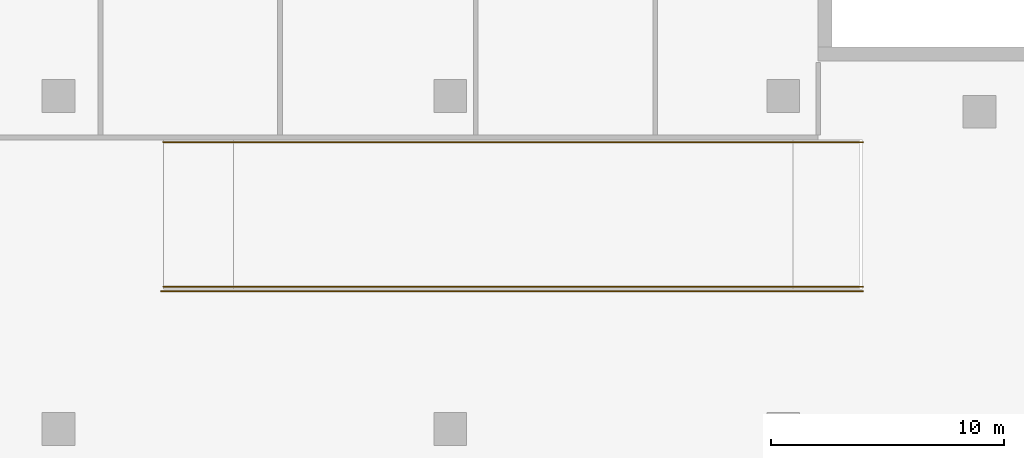
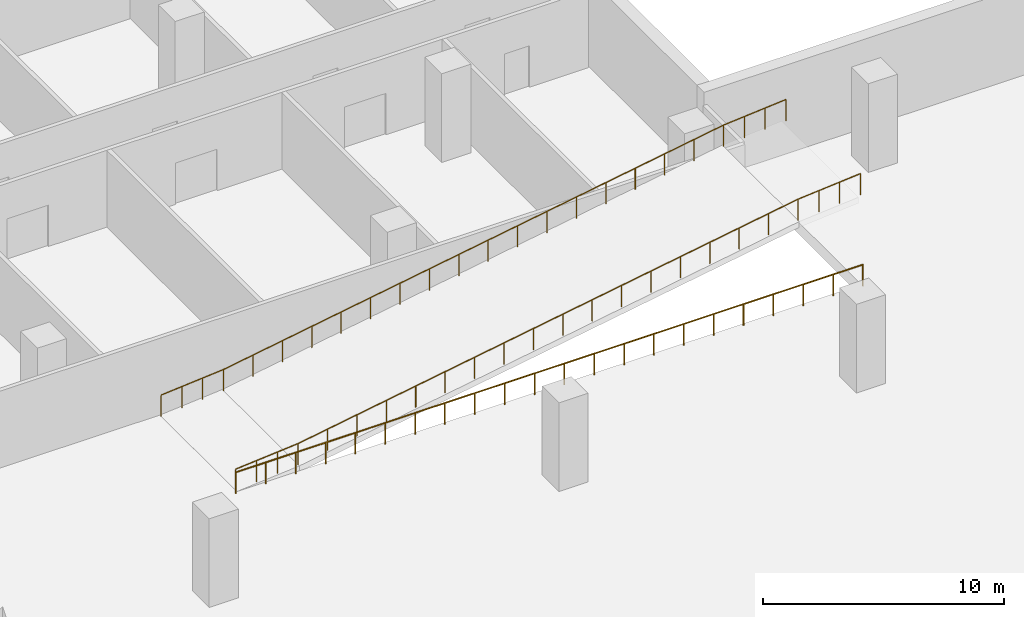
# One storey, part 12 of 12: 3 railings.
"""IFC4 building model written with IfcOpenShell, lengths in metres."""

import ifcopenshell
import ifcopenshell.guid

model = None  # the IFC model being written
_history = None  # IfcOwnerHistory: only IFC2X3 demands one
_inside = {}  # id of a spatial element -> (the spatial element, [elements in it])
_under = {}  # id of a project, library or spatial element -> (it, [spatial elements below it])
_declared = {}  # id of a project -> (the project, [libraries it declares])
_typed = {}  # id of a type object -> (the type object, [elements of that type])
_made_of = {}  # id of a material, layer set ... -> (it, [elements and type objects made of it])


def new_model(schema):
    """Start an empty IFC model of exactly this schema.

    Asked for "IFC4X3", IfcOpenShell would pick the latest addendum, in which some entities
    have other attributes; the version numbers below select the first issue.
    IFC2X3 requires an IfcOwnerHistory on every rooted entity: one is made here for all.
    """
    global model, _history
    if schema == "IFC4X3":
        model = ifcopenshell.file(schema_version=(4, 3, 0, 0))
    else:
        model = ifcopenshell.file(schema=schema)
    _inside.clear()
    _under.clear()
    _declared.clear()
    _typed.clear()
    _made_of.clear()
    _history = None
    if model.schema == "IFC2X3":
        org = make("IfcOrganization", Name="unknown")
        user = make(
            "IfcPersonAndOrganization",
            ThePerson=make("IfcPerson", FamilyName="unknown"),
            TheOrganization=org,
        )
        app = make(
            "IfcApplication",
            ApplicationDeveloper=org,
            Version="unknown",
            ApplicationFullName="unknown",
            ApplicationIdentifier="unknown",
        )
        _history = make(
            "IfcOwnerHistory",
            OwningUser=user,
            OwningApplication=app,
            ChangeAction="ADDED",
            CreationDate=0,
        )
    return model


def make(cls, **values):
    """One entity of the class cls with the attributes given. An attribute that is None is left unset."""
    return model.create_entity(
        cls, **{name: value for name, value in values.items() if value is not None}
    )


def rooted(cls, **values):
    """An entity with a GlobalId (a new one), such as an element, a storey or a relation."""
    return make(cls, GlobalId=ifcopenshell.guid.new(), OwnerHistory=_history, **values)


def si_unit(unit_type, name, prefix=None):
    """IfcSIUnit, for example si_unit("LENGTHUNIT", "METRE", prefix="MILLI")."""
    return make("IfcSIUnit", UnitType=unit_type, Prefix=prefix, Name=name)


def assignment(units):
    """IfcUnitAssignment: the units of a project."""
    return None if units is None else make("IfcUnitAssignment", Units=units)


def point(xyz):
    """IfcCartesianPoint."""
    return None if xyz is None else make("IfcCartesianPoint", Coordinates=xyz)


def direction(xyz):
    """IfcDirection."""
    return None if xyz is None else make("IfcDirection", DirectionRatios=xyz)


def frame(location, z_axis=None, x_axis=None):
    """IfcAxis2Placement3D, a coordinate frame: its origin and axes. An axis left out is left unset."""
    return make(
        "IfcAxis2Placement3D",
        Location=point(location),
        Axis=direction(z_axis),
        RefDirection=direction(x_axis),
    )


def frame_2d(location, x_axis=None):
    """IfcAxis2Placement2D, a coordinate frame in the plane: its origin and x axis."""
    return make(
        "IfcAxis2Placement2D", Location=point(location), RefDirection=direction(x_axis)
    )


def origin():
    """The frame at (0, 0, 0) with its axes left unset."""
    return frame((0.0, 0.0, 0.0))


def origin_2d():
    """The frame at (0, 0) in the plane with its x axis left unset."""
    return frame_2d((0.0, 0.0))


def place(relative_to, where):
    """IfcLocalPlacement: puts the frame where relative to a parent placement (None: the world)."""
    return make(
        "IfcLocalPlacement", PlacementRelTo=relative_to, RelativePlacement=where
    )


def context(
    kind, dimensions, precision=None, world=None, true_north=None, identifier=None
):
    """IfcGeometricRepresentationContext, for example the 3D "Model" context."""
    return make(
        "IfcGeometricRepresentationContext",
        ContextIdentifier=identifier,
        ContextType=kind,
        CoordinateSpaceDimension=dimensions,
        Precision=precision,
        WorldCoordinateSystem=world,
        TrueNorth=true_north,
    )


def subcontext(parent, identifier, kind, view, scale=None):
    """IfcGeometricRepresentationSubContext, for example "Body" below "Model"."""
    return make(
        "IfcGeometricRepresentationSubContext",
        ContextIdentifier=identifier,
        ContextType=kind,
        ParentContext=parent,
        TargetScale=scale,
        TargetView=view,
    )


def project(units=None, contexts=None):
    """IfcProject with its units and contexts."""
    return rooted(
        "IfcProject",
        Name="project",
        RepresentationContexts=contexts,
        UnitsInContext=assignment(units),
    )


def spatial(cls, under=None, at=None, **own):
    """A site, building, storey or space (cls), placed at a placement, below another one or the project."""
    s = rooted(cls, ObjectPlacement=at, **own)
    if under is not None:
        _under.setdefault(under.id(), (under, []))[1].append(s)
    return s


def profile(cls, at=None, kind="AREA", **sizes):
    """A parametric profile (cls). Its sizes go by their IFC names, for example OverallWidth=200.0."""
    return make(cls, ProfileType=kind, Position=at, **sizes)


def circle(**sizes):
    """IfcCircleProfileDef."""
    return profile("IfcCircleProfileDef", **sizes)


def extrude(swept, where, along, depth):
    """IfcExtrudedAreaSolid: the profile swept, set in the frame where, extruded along a direction by depth."""
    return make(
        "IfcExtrudedAreaSolid",
        SweptArea=swept,
        Position=where,
        ExtrudedDirection=direction(along),
        Depth=depth,
    )


def shape(context_of_items, identifier, shape_type, items):
    """IfcShapeRepresentation: the items that make up one representation, for example the "Body"."""
    return make(
        "IfcShapeRepresentation",
        ContextOfItems=context_of_items,
        RepresentationIdentifier=identifier,
        RepresentationType=shape_type,
        Items=items,
    )


def source(mapping_origin, context_of_items, identifier, shape_type, items):
    """IfcRepresentationMap: a shape defined once, which mapped items show again and again."""
    return make(
        "IfcRepresentationMap",
        MappingOrigin=mapping_origin,
        MappedRepresentation=shape(context_of_items, identifier, shape_type, items),
    )


def transform(
    local_origin,
    x_axis=None,
    y_axis=None,
    z_axis=None,
    scale=None,
    scale2=None,
    scale3=None,
    uniform=True,
):
    """IfcCartesianTransformationOperator3D, or its non-uniform kind. x_axis, y_axis, z_axis: its Axis1, 2, 3."""
    if uniform:
        return make(
            "IfcCartesianTransformationOperator3D",
            Axis1=direction(x_axis),
            Axis2=direction(y_axis),
            LocalOrigin=point(local_origin),
            Scale=scale,
            Axis3=direction(z_axis),
        )
    return make(
        "IfcCartesianTransformationOperator3DnonUniform",
        Axis1=direction(x_axis),
        Axis2=direction(y_axis),
        LocalOrigin=point(local_origin),
        Scale=scale,
        Axis3=direction(z_axis),
        Scale2=scale2,
        Scale3=scale3,
    )


def mapped(mapping_source, mapping_target):
    """IfcMappedItem: shows the shape of a source again, moved by a transform."""
    return make(
        "IfcMappedItem", MappingSource=mapping_source, MappingTarget=mapping_target
    )


def material(Name=None, Category=None):
    """IfcMaterial."""
    return make("IfcMaterial", Name=Name, Category=Category)


def made_of(thing, what):
    """Note that an element or type object is made of a material, layer set ...; save() writes the relation."""
    if what is not None:
        _made_of.setdefault(what.id(), (what, []))[1].append(thing)
    return thing


def type_object(cls, material=None, **own):
    """A type object (cls), such as IfcWallType, which elements share."""
    return made_of(rooted(cls, **own), material)


def element(
    cls,
    number,
    at=None,
    inside=None,
    cuts=None,
    type_object=None,
    material=None,
    context=None,
    identifier="Body",
    shape_type=None,
    held_by="IfcProductDefinitionShape",
    body=None,
    shapes=None,
    **own,
):
    """One element of the class cls, such as IfcWall. Its Tag is "e" and its number.

    at: its placement. inside: the storey or other place that contains it. cuts: it is an
    opening in that element (IfcRelVoidsElement). A single representation is given by context,
    identifier, shape_type and body (its items); several are given by shapes. held_by: the class
    of the entity that holds the representations. save() writes the other relations.
    """
    e = rooted(cls, Tag="e%d" % number, ObjectPlacement=at, **own)
    if body is not None:
        shapes = [shape(context, identifier, shape_type, body)]
    if shapes is not None:
        e.Representation = make(held_by, Representations=shapes)
    if inside is not None:
        _inside.setdefault(inside.id(), (inside, []))[1].append(e)
    if cuts is not None:
        rooted(
            "IfcRelVoidsElement", RelatingBuildingElement=cuts, RelatedOpeningElement=e
        )
    if type_object is not None:
        _typed.setdefault(type_object.id(), (type_object, []))[1].append(e)
    return made_of(e, material)


def aggregate(whole, parts):
    """IfcRelAggregates: a whole, such as a stair, and the parts it consists of."""
    return rooted("IfcRelAggregates", RelatingObject=whole, RelatedObjects=parts)


def save(model, path):
    """Write the relations noted so far, then the file.

    IfcRelAggregates (storeys below a building ...), IfcRelContainedInSpatialStructure (elements
    in a storey), IfcRelDefinesByType, IfcRelAssociatesMaterial and IfcRelDeclares: one each for
    every whole, place, type object, material and project.
    """
    for whole, parts in _under.values():
        aggregate(whole, parts)
    for where, things in _inside.values():
        rooted(
            "IfcRelContainedInSpatialStructure",
            RelatedElements=things,
            RelatingStructure=where,
        )
    for kind, things in _typed.values():
        rooted("IfcRelDefinesByType", RelatedObjects=things, RelatingType=kind)
    for what, things in _made_of.values():
        rooted("IfcRelAssociatesMaterial", RelatedObjects=things, RelatingMaterial=what)
    for by, libraries in _declared.values():
        rooted("IfcRelDeclares", RelatingContext=by, RelatedDefinitions=libraries)
    model.write(path)


model = new_model("IFC4")

# Units and contexts
model_context = context("Model", 3, precision=1e-05, world=origin(), true_north=direction((0.0, 1.0)))
body_context = subcontext(model_context, "Body", "Model", "MODEL_VIEW")
ifc_project = project(units=[si_unit("LENGTHUNIT", "METRE"), si_unit("AREAUNIT", "SQUARE_METRE"), si_unit("VOLUMEUNIT", "CUBIC_METRE"), si_unit("PLANEANGLEUNIT", "RADIAN"), si_unit("MASSUNIT", "GRAM", prefix="KILO")], contexts=[model_context])

# Site, building, storey
site_placement = place(None, origin())
site = spatial("IfcSite", under=ifc_project, at=site_placement, CompositionType="ELEMENT")
building_placement = place(site_placement, origin())
building = spatial("IfcBuilding", under=site, at=building_placement, Name="Aurelian Terraces", CompositionType="ELEMENT")
storey_placement = place(building_placement, frame((0.0, 0.0, -9.0)))
storey = spatial("IfcBuildingStorey", under=building, at=storey_placement, Name="B2", CompositionType="ELEMENT", Elevation=-9.0)

# Railings
ifc_material = material(Name="Stainless steel", Category="steel")
railing_type_1 = type_object("IfcRailingType", Name="Deck edge guard 1100", PredefinedType="GUARDRAIL", material=ifc_material)
railing_placement = place(storey_placement, frame((25.4, 43.7, 0.0)))
element("IfcRailing", 1, at=railing_placement, inside=storey, type_object=railing_type_1, Name="Deck edge guard ramp opening south", PredefinedType="GUARDRAIL", context=body_context, shape_type="SweptSolid", body=[
    extrude(circle(Radius=0.024, at=origin_2d()), frame((0.0, 0.0, 1.076), z_axis=(1.0, 0.0, 0.0), x_axis=(0.0, 1.0, 0.0)), (0.0, 0.0, 1.0), 30.1),
    extrude(circle(Radius=0.021, at=origin_2d()), origin(), (0.0, 0.0, 1.0), 1.052),
    extrude(circle(Radius=0.021, at=origin_2d()), frame((1.4333, 0.0, 0.0)), (0.0, 0.0, 1.0), 1.052),
    extrude(circle(Radius=0.021, at=origin_2d()), frame((2.8667, 0.0, 0.0)), (0.0, 0.0, 1.0), 1.052),
    extrude(circle(Radius=0.021, at=origin_2d()), frame((4.3, 0.0, 0.0)), (0.0, 0.0, 1.0), 1.052),
    extrude(circle(Radius=0.021, at=origin_2d()), frame((5.7333, 0.0, 0.0)), (0.0, 0.0, 1.0), 1.052),
    extrude(circle(Radius=0.021, at=origin_2d()), frame((7.1667, 0.0, 0.0)), (0.0, 0.0, 1.0), 1.052),
    extrude(circle(Radius=0.021, at=origin_2d()), frame((8.6, 0.0, 0.0)), (0.0, 0.0, 1.0), 1.052),
    extrude(circle(Radius=0.021, at=origin_2d()), frame((10.0333, 0.0, 0.0)), (0.0, 0.0, 1.0), 1.052),
    extrude(circle(Radius=0.021, at=origin_2d()), frame((11.4667, 0.0, 0.0)), (0.0, 0.0, 1.0), 1.052),
    extrude(circle(Radius=0.021, at=origin_2d()), frame((12.9, 0.0, 0.0)), (0.0, 0.0, 1.0), 1.052),
    extrude(circle(Radius=0.021, at=origin_2d()), frame((14.3333, 0.0, 0.0)), (0.0, 0.0, 1.0), 1.052),
    extrude(circle(Radius=0.021, at=origin_2d()), frame((15.7667, 0.0, 0.0)), (0.0, 0.0, 1.0), 1.052),
    extrude(circle(Radius=0.021, at=origin_2d()), frame((17.2, 0.0, 0.0)), (0.0, 0.0, 1.0), 1.052),
    extrude(circle(Radius=0.021, at=origin_2d()), frame((18.6333, 0.0, 0.0)), (0.0, 0.0, 1.0), 1.052),
    extrude(circle(Radius=0.021, at=origin_2d()), frame((20.0667, 0.0, 0.0)), (0.0, 0.0, 1.0), 1.052),
    extrude(circle(Radius=0.021, at=origin_2d()), frame((21.5, 0.0, 0.0)), (0.0, 0.0, 1.0), 1.052),
    extrude(circle(Radius=0.021, at=origin_2d()), frame((22.9333, 0.0, 0.0)), (0.0, 0.0, 1.0), 1.052),
    extrude(circle(Radius=0.021, at=origin_2d()), frame((24.3667, 0.0, 0.0)), (0.0, 0.0, 1.0), 1.052),
    extrude(circle(Radius=0.021, at=origin_2d()), frame((25.8, 0.0, 0.0)), (0.0, 0.0, 1.0), 1.052),
    extrude(circle(Radius=0.021, at=origin_2d()), frame((27.2333, 0.0, 0.0)), (0.0, 0.0, 1.0), 1.052),
    extrude(circle(Radius=0.021, at=origin_2d()), frame((28.6667, 0.0, 0.0)), (0.0, 0.0, 1.0), 1.052),
    extrude(circle(Radius=0.021, at=origin_2d()), frame((30.1, 0.0, 0.0)), (0.0, 0.0, 1.0), 1.052),
])
railing_type_2 = type_object("IfcRailingType", Name="Ramp guard 1100", PredefinedType="GUARDRAIL", material=ifc_material)
shared_shape = source(origin(), body_context, "Body", "SweptSolid", [
    extrude(circle(Radius=0.024, at=origin_2d()), frame((0.0, 0.0, 1.076), z_axis=(0.996545758245, 0.0, 0.083045479854), x_axis=(0.0, 1.0, 0.0)), (0.0, 0.0, 1.0), 3.0104),
    extrude(circle(Radius=0.024, at=origin_2d()), frame((3.0, 0.0, 1.326), z_axis=(0.986393923832, 0.0, 0.164398987305), x_axis=(0.0, 1.0, 0.0)), (0.0, 0.0, 1.0), 24.3311),
    extrude(circle(Radius=0.024, at=origin_2d()), frame((27.0, 0.0, 5.326), z_axis=(0.996545758245, 0.0, 0.083045479854), x_axis=(0.0, 1.0, 0.0)), (0.0, 0.0, 1.0), 3.0104),
    extrude(circle(Radius=0.021, at=origin_2d()), origin(), (0.0, 0.0, 1.0), 1.052),
    extrude(circle(Radius=0.021, at=origin_2d()), frame((1.0, 0.0, 0.0833)), (0.0, 0.0, 1.0), 1.052),
    extrude(circle(Radius=0.021, at=origin_2d()), frame((2.0, 0.0, 0.1667)), (0.0, 0.0, 1.0), 1.052),
    extrude(circle(Radius=0.021, at=origin_2d()), frame((3.0, 0.0, 0.25)), (0.0, 0.0, 1.0), 1.052),
    extrude(circle(Radius=0.021, at=origin_2d()), frame((4.4118, 0.0, 0.4853)), (0.0, 0.0, 1.0), 1.052),
    extrude(circle(Radius=0.021, at=origin_2d()), frame((5.8235, 0.0, 0.7206)), (0.0, 0.0, 1.0), 1.052),
    extrude(circle(Radius=0.021, at=origin_2d()), frame((7.2353, 0.0, 0.9559)), (0.0, 0.0, 1.0), 1.052),
    extrude(circle(Radius=0.021, at=origin_2d()), frame((8.6471, 0.0, 1.1912)), (0.0, 0.0, 1.0), 1.052),
    extrude(circle(Radius=0.021, at=origin_2d()), frame((10.0588, 0.0, 1.4265)), (0.0, 0.0, 1.0), 1.052),
    extrude(circle(Radius=0.021, at=origin_2d()), frame((11.4706, 0.0, 1.6618)), (0.0, 0.0, 1.0), 1.052),
    extrude(circle(Radius=0.021, at=origin_2d()), frame((12.8824, 0.0, 1.8971)), (0.0, 0.0, 1.0), 1.052),
    extrude(circle(Radius=0.021, at=origin_2d()), frame((14.2941, 0.0, 2.1324)), (0.0, 0.0, 1.0), 1.052),
    extrude(circle(Radius=0.021, at=origin_2d()), frame((15.7059, 0.0, 2.3676)), (0.0, 0.0, 1.0), 1.052),
    extrude(circle(Radius=0.021, at=origin_2d()), frame((17.1176, 0.0, 2.6029)), (0.0, 0.0, 1.0), 1.052),
    extrude(circle(Radius=0.021, at=origin_2d()), frame((18.5294, 0.0, 2.8382)), (0.0, 0.0, 1.0), 1.052),
    extrude(circle(Radius=0.021, at=origin_2d()), frame((19.9412, 0.0, 3.0735)), (0.0, 0.0, 1.0), 1.052),
    extrude(circle(Radius=0.021, at=origin_2d()), frame((21.3529, 0.0, 3.3088)), (0.0, 0.0, 1.0), 1.052),
    extrude(circle(Radius=0.021, at=origin_2d()), frame((22.7647, 0.0, 3.5441)), (0.0, 0.0, 1.0), 1.052),
    extrude(circle(Radius=0.021, at=origin_2d()), frame((24.1765, 0.0, 3.7794)), (0.0, 0.0, 1.0), 1.052),
    extrude(circle(Radius=0.021, at=origin_2d()), frame((25.5882, 0.0, 4.0147)), (0.0, 0.0, 1.0), 1.052),
    extrude(circle(Radius=0.021, at=origin_2d()), frame((27.0, 0.0, 4.25)), (0.0, 0.0, 1.0), 1.052),
    extrude(circle(Radius=0.021, at=origin_2d()), frame((28.0, 0.0, 4.3333)), (0.0, 0.0, 1.0), 1.052),
    extrude(circle(Radius=0.021, at=origin_2d()), frame((29.0, 0.0, 4.4167)), (0.0, 0.0, 1.0), 1.052),
    extrude(circle(Radius=0.021, at=origin_2d()), frame((30.0, 0.0, 4.5)), (0.0, 0.0, 1.0), 1.052),
])
for number, where, name in (
    (2, (25.5, 43.9, 0.0), "Ramp guard R2 south"),
    (3, (25.5, 50.1, 0.0), "Ramp guard R2 north"),
):
    element("IfcRailing", number, at=place(storey_placement, frame(where)), inside=storey, type_object=railing_type_2, Name=name, PredefinedType="GUARDRAIL", context=body_context, shape_type="MappedRepresentation", body=[
        mapped(shared_shape, transform((0.0, 0.0, 0.0), scale=1.0)),
    ])

save(model, "model.ifc")
